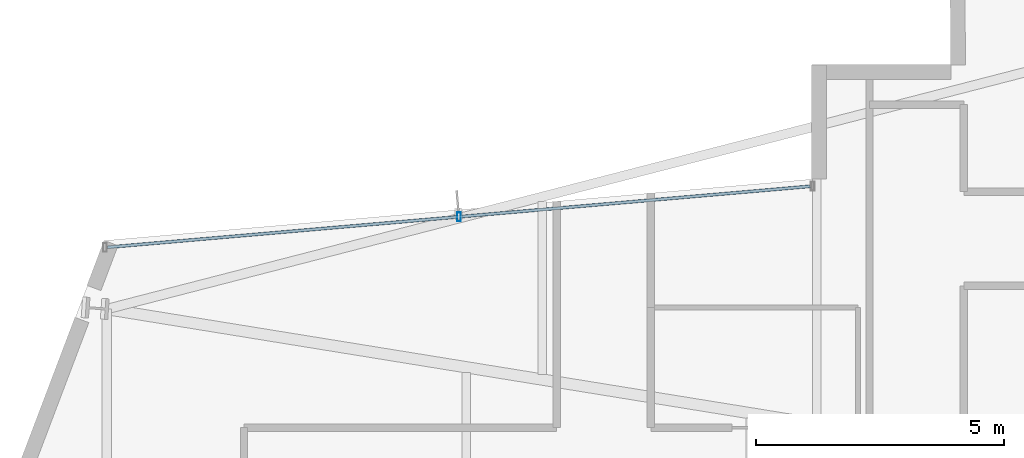
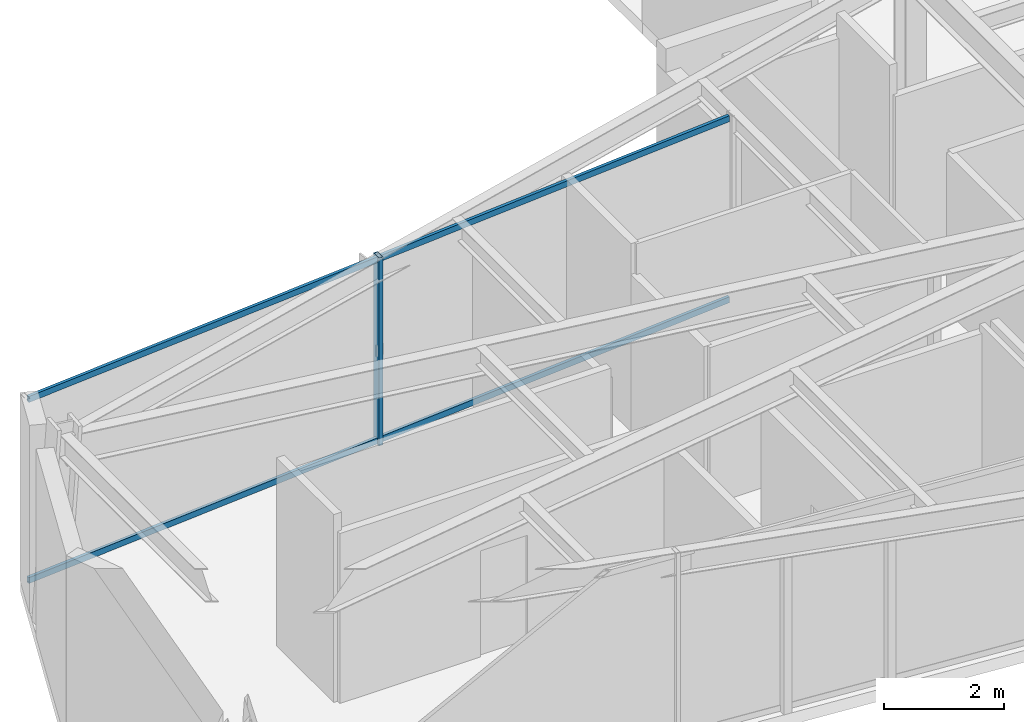
# One storey, part 9 of 23: 3 members, 1 element without a shape of its own.
"""IFC4 building model written with IfcOpenShell, lengths in metres."""

from ifc_helpers import new_model, si_unit, direction, frame, origin, origin_2d, place, context, subcontext, project, spatial, hollow_rectangle, extrude, material, layer, layer_set, material_profile, profile_set, type_object, element, aggregate, save


model = new_model("IFC4")

# Units and contexts
model_context = context("Model", 3, precision=1e-05, world=origin(), true_north=direction((0.0, 1.0)))
body_context = subcontext(model_context, "Body", "Model", "MODEL_VIEW")
ifc_project = project(units=[si_unit("LENGTHUNIT", "METRE"), si_unit("AREAUNIT", "SQUARE_METRE"), si_unit("VOLUMEUNIT", "CUBIC_METRE"), si_unit("PLANEANGLEUNIT", "RADIAN"), si_unit("MASSUNIT", "GRAM", prefix="KILO")], contexts=[model_context])

# Site, building, storey
site_placement = place(None, origin())
site = spatial("IfcSite", under=ifc_project, at=site_placement, CompositionType="ELEMENT")
building_placement = place(site_placement, origin())
building = spatial("IfcBuilding", under=site, at=building_placement, Name="Veymaron Broadcast Tower", CompositionType="ELEMENT")
storey_placement = place(building_placement, frame((0.0, 0.0, 165.449951171875)))
storey = spatial("IfcBuildingStorey", under=building, at=storey_placement, Name="L38", CompositionType="ELEMENT", Elevation=165.449951171875)

# Curtain wall, members
ifc_material_1 = material(Name="Anodised aluminium AA 6063-T6 and laminated low-E dark glass", Category="aluminium")
ifc_layer = layer(ifc_material_1, 0.179931640625)
ifc_layer_set = layer_set([ifc_layer], Name="Anodised aluminium AA 6063-T6 and laminated low-E dark glass")
curtain_wall_type = type_object("IfcCurtainWallType", Name="CW-SYS-03", PredefinedType="NOTDEFINED", material=ifc_layer_set)
curtain_wall_placement = place(storey_placement, origin())
curtain_wall = element("IfcCurtainWall", 1, at=curtain_wall_placement, inside=storey, type_object=curtain_wall_type, Name="L38 dark-glass curtain wall CW-L38-E11-1", PredefinedType="NOTDEFINED")
ifc_material_2 = material(Name="Anodised aluminium AA 6063-T6", Category="aluminium")
ifc_material_profile_1 = material_profile(ifc_material_2, hollow_rectangle(XDim=0.074951171875, YDim=0.179931640625, WallThickness=0.0048828125, at=origin_2d()), Name="AL180X75X5")
ifc_profile_set_1 = profile_set([ifc_material_profile_1], Name="Anodised aluminium AA 6063-T6")
member_type_1 = type_object("IfcMemberType", Name="CW-MUL-02", PredefinedType="MULLION", material=ifc_profile_set_1)
member_1_placement = place(storey_placement, frame((19.234130859375, 28.942626953125, 0.0), z_axis=(0.0, 0.0, 1.0), x_axis=(1.0, 0.0, 0.0)))
member_1 = element("IfcMember", 2, at=member_1_placement, type_object=member_type_1, Name="CW-L38-E11-1 mullion 1", PredefinedType="MULLION", context=body_context, shape_type="SweptSolid", body=[
    extrude(hollow_rectangle(XDim=0.074951171875, YDim=0.179931640625, WallThickness=0.0048828125, at=origin_2d()), origin(), (0.0, 0.0, 1.0), 3.81005859375),
])
ifc_material_profile_2 = material_profile(ifc_material_2, hollow_rectangle(XDim=0.06005859375, YDim=0.1201171875, WallThickness=0.00390625, at=origin_2d()), Name="AL120X60X4")
ifc_profile_set_2 = profile_set([ifc_material_profile_2], Name="Anodised aluminium AA 6063-T6")
member_type_2 = type_object("IfcMemberType", Name="CW-TRN-02", PredefinedType="USERDEFINED", material=ifc_profile_set_2)
member_2_placement = place(storey_placement, frame((26.306396484375, 29.556396484375, 0.070068359375), z_axis=(-0.996255285425, -0.086460431772, 0.0), x_axis=(0.086460431772, -0.996255285425, 0.0)))
member_2 = element("IfcMember", 3, at=member_2_placement, type_object=member_type_2, Name="CW-L38-E11-1 transom B", ObjectType="TRANSOM", PredefinedType="USERDEFINED", context=body_context, shape_type="SweptSolid", body=[
    extrude(hollow_rectangle(XDim=0.06005859375, YDim=0.1201171875, WallThickness=0.00390625, at=origin_2d()), origin(), (0.0, 0.0, 1.0), 14.19775390625),
])
member_3_placement = place(storey_placement, frame((26.306396484375, 29.556396484375, 3.739990234375), z_axis=(-0.996255285425, -0.086460431772, 0.0), x_axis=(0.086460431772, -0.996255285425, 0.0)))
member_3 = element("IfcMember", 4, at=member_3_placement, type_object=member_type_2, Name="CW-L38-E11-1 transom T", ObjectType="TRANSOM", PredefinedType="USERDEFINED", context=body_context, shape_type="SweptSolid", body=[
    extrude(hollow_rectangle(XDim=0.06005859375, YDim=0.1201171875, WallThickness=0.00390625, at=origin_2d()), origin(), (0.0, 0.0, 1.0), 14.19775390625),
])
aggregate(curtain_wall, [member_1, member_2, member_3])

save(model, "model.ifc")
